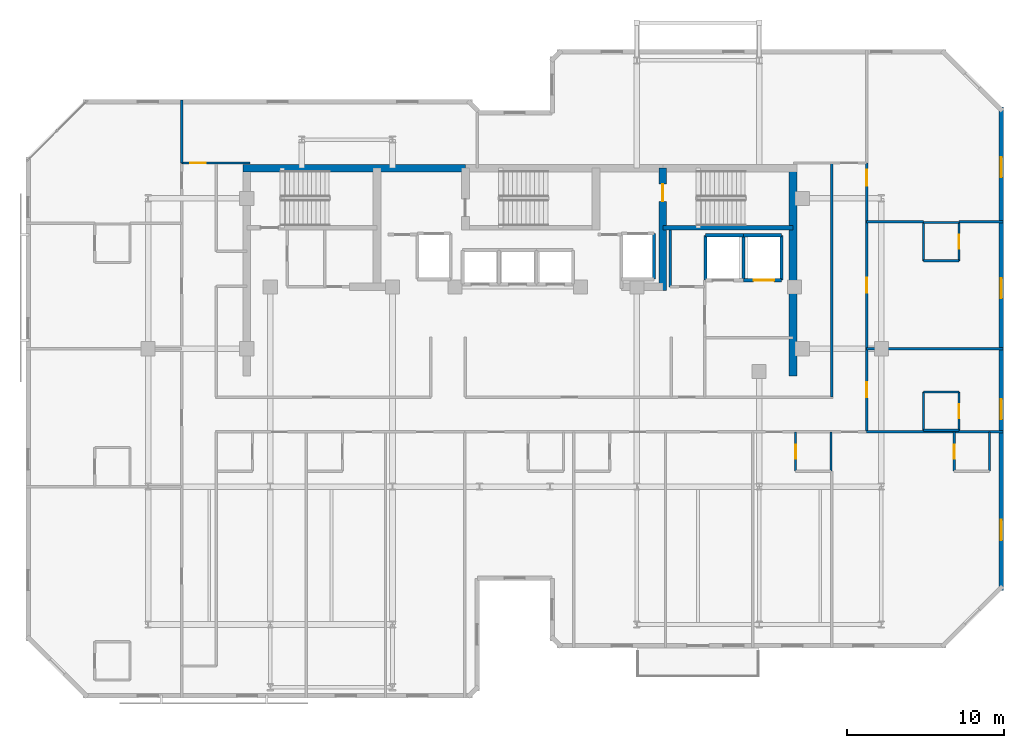
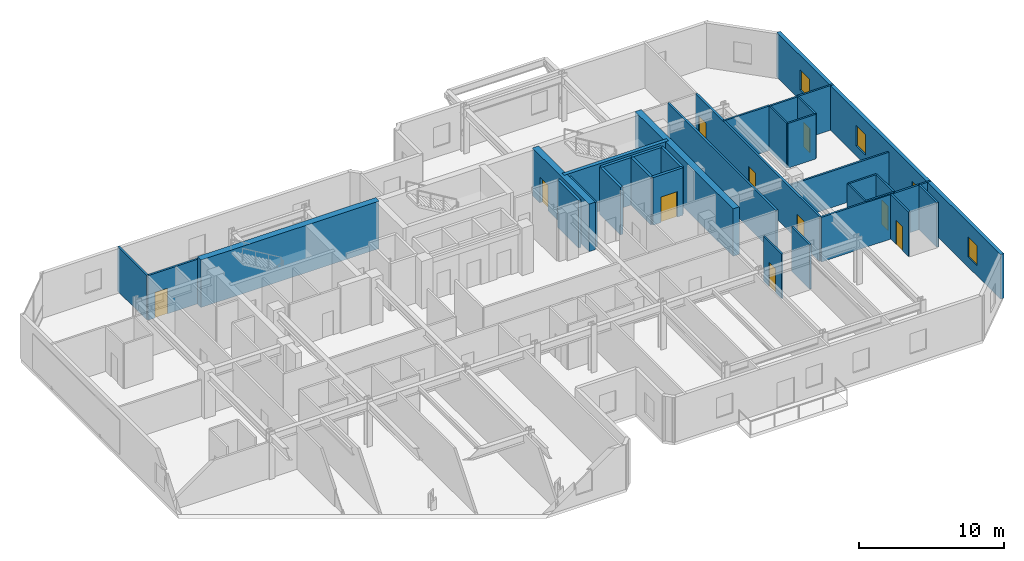
# One storey, part 7 of 10: 33 walls, 10 doors, 4 windows, 14 openings.
"""IFC4 building model written with IfcOpenShell, lengths in metres."""

from ifc_helpers import new_model, si_unit, direction, frame, frame_2d, origin, place, context, subcontext, project, spatial, rectangle, extrude, material, layer, layer_set, type_object, element, fill, save


model = new_model("IFC4")

# Units and contexts
model_context = context("Model", 3, precision=1e-05, world=origin(), true_north=direction((0.0, 1.0)))
body_context = subcontext(model_context, "Body", "Model", "MODEL_VIEW")
ifc_project = project(units=[si_unit("LENGTHUNIT", "METRE"), si_unit("AREAUNIT", "SQUARE_METRE"), si_unit("VOLUMEUNIT", "CUBIC_METRE"), si_unit("PLANEANGLEUNIT", "RADIAN"), si_unit("MASSUNIT", "GRAM", prefix="KILO")], contexts=[model_context])

# Site, building, storey
site_placement = place(None, origin())
site = spatial("IfcSite", under=ifc_project, at=site_placement, CompositionType="ELEMENT")
building_placement = place(site_placement, origin())
building = spatial("IfcBuilding", under=site, at=building_placement, Name="Kestravale Grand Hotel", CompositionType="ELEMENT")
storey_placement = place(building_placement, frame((0.0, 0.0, 253.39990234375)))
storey = spatial("IfcBuildingStorey", under=building, at=storey_placement, Name="L63", CompositionType="ELEMENT", Elevation=253.39990234375)

# Walls
ifc_material_1 = material(Name="Concrete f'c 50 MPa", Category="concrete")
ifc_layer_1 = layer(ifc_material_1, 0.5)
ifc_layer_set_1 = layer_set([ifc_layer_1], Name="EW-CORE-500")
wall_type_1 = type_object("IfcWallType", Name="EW-CORE-500", PredefinedType="SHEAR", material=ifc_layer_set_1)
wall_1_placement = place(storey_placement, frame((21.64990234375, 40.320068359375, 0.0), z_axis=(0.0, 0.0, 1.0), x_axis=(1.0, 0.0, 0.0)))
element("IfcWall", 1, at=wall_1_placement, inside=storey, type_object=wall_type_1, Name="L63 core shear wall N1", PredefinedType="SHEAR", context=body_context, shape_type="SweptSolid", body=[
    extrude(rectangle(XDim=14.2001953125, YDim=0.5, at=frame_2d((7.10009765625, 0.0))), origin(), (0.0, 0.0, 1.0), 4.0),
])
wall_2_placement = place(storey_placement, frame((56.77001953125, 27.050048828125, 0.0), z_axis=(0.0, 0.0, 1.0), x_axis=(0.0, 1.0, 0.0)))
element("IfcWall", 2, at=wall_2_placement, inside=storey, type_object=wall_type_1, Name="L63 core shear wall E1", PredefinedType="SHEAR", context=body_context, shape_type="SweptSolid", body=[
    extrude(rectangle(XDim=13.52001953125, YDim=0.5, at=frame_2d((6.760009765625, 0.0))), origin(), (0.0, 0.0, 1.0), 4.0),
])

# Wall, opening, door
wall_3_placement = place(storey_placement, frame((48.449951171875, 32.5, 0.0), z_axis=(0.0, 0.0, 1.0), x_axis=(0.0, 1.0, 0.0)))
wall_3 = element("IfcWall", 3, at=wall_3_placement, inside=storey, type_object=wall_type_1, Name="L63 core shear wall X4", PredefinedType="SHEAR", context=body_context, shape_type="SweptSolid", body=[
    extrude(rectangle(XDim=7.820068359375, YDim=0.5, at=frame_2d((3.91015625, 0.0))), origin(), (0.0, 0.0, 1.0), 4.0),
])
opening_1_placement = place(wall_3_placement, frame((5.699951171875, 0.0, 0.0)))
opening_1 = element("IfcOpeningElement", 4, at=opening_1_placement, cuts=wall_3, Name="Opening D-ST-1100", PredefinedType="OPENING", context=body_context, shape_type="SweptSolid", body=[
    extrude(rectangle(XDim=1.10009765625, YDim=2.14990234375, at=frame_2d((0.550048828125, 1.074951171875))), frame((0.0, 0.260009765625, 0.0), z_axis=(0.0, -1.0, 0.0), x_axis=(1.0, 0.0, 0.0)), (0.0, 0.0, 1.0), 0.52001953125),
])
ifc_material_2 = material(Name="Galvanised 90-minute fire-rated steel stair door", Category="steel")
door_type_1 = type_object("IfcDoorType", Name="D-ST-1100", OperationType="NOTDEFINED", PredefinedType="DOOR", material=ifc_material_2)
door_1_placement = place(opening_1_placement, origin())
door_1 = element("IfcDoor", 5, at=door_1_placement, inside=storey, type_object=door_type_1, Name="L63 Stair ST-3 FSAE fire door", OperationType="SINGLE_SWING_RIGHT", OverallHeight=2.14990234375, OverallWidth=1.10009765625, PredefinedType="DOOR", context=body_context, shape_type="SweptSolid", body=[
    extrude(rectangle(XDim=1.10009765625, YDim=2.14990234375, at=frame_2d((0.550048828125, 1.074951171875))), frame((0.0, 0.02490234375, 0.0), z_axis=(0.0, -1.0, 0.0), x_axis=(1.0, 0.0, 0.0)), (0.0, 0.0, 1.0), 0.050048828125),
])
fill(opening_1, door_1)

# Wall, openings, windows
ifc_material_3 = material(Name="Precast concrete f'c 45 MPa", Category="concrete")
ifc_layer_2 = layer(ifc_material_3, 0.280029296875)
ifc_layer_set_2 = layer_set([ifc_layer_2], Name="EW-PREC-280")
wall_type_2 = type_object("IfcWallType", Name="EW-PREC-280", PredefinedType="SOLIDWALL", material=ifc_layer_set_2)
wall_4_placement = place(storey_placement, frame((70.06005859375, 13.360107421875, 0.0), z_axis=(0.0, 0.0, 1.0), x_axis=(0.0, 1.0, 0.0)))
wall_4 = element("IfcWall", 6, at=wall_4_placement, inside=storey, type_object=wall_type_2, Name="L63 fluted precast facade wall 9", PredefinedType="SOLIDWALL", context=body_context, shape_type="SweptSolid", body=[
    extrude(rectangle(XDim=30.8798828125, YDim=0.280029296875, at=frame_2d((15.43994140625, 0.0))), origin(), (0.0, 0.0, 1.0), 3.760009765625),
])
opening_2_placement = place(wall_4_placement, frame((3.2099609375, 0.0, 0.85009765625)))
opening_2 = element("IfcOpeningElement", 7, at=opening_2_placement, cuts=wall_4, Name="Opening W-GUEST-1300", PredefinedType="OPENING", context=body_context, shape_type="SweptSolid", body=[
    extrude(rectangle(XDim=1.300048828125, YDim=1.699951171875, at=frame_2d((0.64990234375, 0.85009765625))), frame((0.0, 0.14990234375, 0.0), z_axis=(0.0, -1.0, 0.0), x_axis=(1.0, 0.0, 0.0)), (0.0, 0.0, 1.0), 0.300048828125),
])
opening_3_placement = place(wall_4_placement, frame((10.929931640625, 0.0, 0.85009765625)))
opening_3 = element("IfcOpeningElement", 8, at=opening_3_placement, cuts=wall_4, Name="Opening W-GUEST-1300", PredefinedType="OPENING", context=body_context, shape_type="SweptSolid", body=[
    extrude(rectangle(XDim=1.300048828125, YDim=1.699951171875, at=frame_2d((0.64990234375, 0.85009765625))), frame((0.0, 0.14990234375, 0.0), z_axis=(0.0, -1.0, 0.0), x_axis=(1.0, 0.0, 0.0)), (0.0, 0.0, 1.0), 0.300048828125),
])
opening_4_placement = place(wall_4_placement, frame((18.64990234375, 0.0, 0.85009765625)))
opening_4 = element("IfcOpeningElement", 9, at=opening_4_placement, cuts=wall_4, Name="Opening W-GUEST-1300", PredefinedType="OPENING", context=body_context, shape_type="SweptSolid", body=[
    extrude(rectangle(XDim=1.300048828125, YDim=1.699951171875, at=frame_2d((0.64990234375, 0.85009765625))), frame((0.0, 0.14990234375, 0.0), z_axis=(0.0, -1.0, 0.0), x_axis=(1.0, 0.0, 0.0)), (0.0, 0.0, 1.0), 0.300048828125),
])
opening_5_placement = place(wall_4_placement, frame((26.3701171875, 0.0, 0.85009765625)))
opening_5 = element("IfcOpeningElement", 10, at=opening_5_placement, cuts=wall_4, Name="Opening W-GUEST-1300", PredefinedType="OPENING", context=body_context, shape_type="SweptSolid", body=[
    extrude(rectangle(XDim=1.300048828125, YDim=1.699951171875, at=frame_2d((0.64990234375, 0.85009765625))), frame((0.0, 0.14990234375, 0.0), z_axis=(0.0, -1.0, 0.0), x_axis=(1.0, 0.0, 0.0)), (0.0, 0.0, 1.0), 0.300048828125),
])
ifc_material_4 = material(Name="Insulated low-E double glazing in aluminium frame", Category="aluminium")
window_type = type_object("IfcWindowType", Name="W-GUEST-1300", PartitioningType="SINGLE_PANEL", PredefinedType="WINDOW", material=ifc_material_4)
window_1_placement = place(opening_2_placement, origin())
window_1 = element("IfcWindow", 11, at=window_1_placement, inside=storey, type_object=window_type, Name="L63 exterior window 9.1", OverallHeight=1.699951171875, OverallWidth=1.300048828125, PartitioningType="SINGLE_PANEL", PredefinedType="WINDOW", context=body_context, shape_type="SweptSolid", body=[
    extrude(rectangle(XDim=1.300048828125, YDim=1.699951171875, at=frame_2d((0.64990234375, 0.85009765625))), frame((0.0, 0.030029296875, 0.0), z_axis=(0.0, -1.0, 0.0), x_axis=(1.0, 0.0, 0.0)), (0.0, 0.0, 1.0), 0.06005859375),
])
fill(opening_2, window_1)
window_2_placement = place(opening_3_placement, origin())
window_2 = element("IfcWindow", 12, at=window_2_placement, inside=storey, type_object=window_type, Name="L63 exterior window 9.2", OverallHeight=1.699951171875, OverallWidth=1.300048828125, PartitioningType="SINGLE_PANEL", PredefinedType="WINDOW", context=body_context, shape_type="SweptSolid", body=[
    extrude(rectangle(XDim=1.300048828125, YDim=1.699951171875, at=frame_2d((0.64990234375, 0.85009765625))), frame((0.0, 0.030029296875, 0.0), z_axis=(0.0, -1.0, 0.0), x_axis=(1.0, 0.0, 0.0)), (0.0, 0.0, 1.0), 0.06005859375),
])
fill(opening_3, window_2)
window_3_placement = place(opening_4_placement, origin())
window_3 = element("IfcWindow", 13, at=window_3_placement, inside=storey, type_object=window_type, Name="L63 exterior window 9.3", OverallHeight=1.699951171875, OverallWidth=1.300048828125, PartitioningType="SINGLE_PANEL", PredefinedType="WINDOW", context=body_context, shape_type="SweptSolid", body=[
    extrude(rectangle(XDim=1.300048828125, YDim=1.699951171875, at=frame_2d((0.64990234375, 0.85009765625))), frame((0.0, 0.030029296875, 0.0), z_axis=(0.0, -1.0, 0.0), x_axis=(1.0, 0.0, 0.0)), (0.0, 0.0, 1.0), 0.06005859375),
])
fill(opening_4, window_3)
window_4_placement = place(opening_5_placement, origin())
window_4 = element("IfcWindow", 14, at=window_4_placement, inside=storey, type_object=window_type, Name="L63 exterior window 9.4", OverallHeight=1.699951171875, OverallWidth=1.300048828125, PartitioningType="SINGLE_PANEL", PredefinedType="WINDOW", context=body_context, shape_type="SweptSolid", body=[
    extrude(rectangle(XDim=1.300048828125, YDim=1.699951171875, at=frame_2d((0.64990234375, 0.85009765625))), frame((0.0, 0.030029296875, 0.0), z_axis=(0.0, -1.0, 0.0), x_axis=(1.0, 0.0, 0.0)), (0.0, 0.0, 1.0), 0.06005859375),
])
fill(opening_5, window_4)

# Wall
ifc_material_5 = material(Name="Concrete f'c 45 MPa", Category="concrete")
ifc_layer_3 = layer(ifc_material_5, 0.300048828125)
ifc_layer_set_3 = layer_set([ifc_layer_3], Name="EW-STAIR-300")
wall_type_3 = type_object("IfcWallType", Name="EW-STAIR-300", PredefinedType="SHEAR", material=ifc_layer_set_3)
wall_5_placement = place(storey_placement, frame((48.449951171875, 36.52001953125, 0.0), z_axis=(0.0, 0.0, 1.0), x_axis=(1.0, 0.0, 0.0)))
element("IfcWall", 15, at=wall_5_placement, inside=storey, type_object=wall_type_3, Name="L63 stair enclosure shear wall SST3", PredefinedType="SHEAR", context=body_context, shape_type="SweptSolid", body=[
    extrude(rectangle(XDim=8.320068359375, YDim=0.300048828125, at=frame_2d((4.16015625, 0.0))), origin(), (0.0, 0.0, 1.0), 4.0),
])

# Wall, openings, doors
ifc_material_6 = material(Name="Acoustic fire-rated gypsum board partition", Category="other")
ifc_layer_4 = layer(ifc_material_6, 0.159912109375)
ifc_layer_set_4 = layer_set([ifc_layer_4], Name="IW-CORR-160")
wall_type_4 = type_object("IfcWallType", Name="IW-CORR-160", PredefinedType="PARTITIONING", material=ifc_layer_set_4)
wall_6_placement = place(storey_placement, frame((61.4599609375, 23.550048828125, 0.0), z_axis=(0.0, 0.0, 1.0), x_axis=(0.0, 1.0, 0.0)))
wall_6 = element("IfcWall", 16, at=wall_6_placement, inside=storey, type_object=wall_type_4, Name="W-L63-SE-E", PredefinedType="PARTITIONING", context=body_context, shape_type="SweptSolid", body=[
    extrude(rectangle(XDim=17.099853515625, YDim=0.159912109375, at=frame_2d((8.5498046875, 0.0))), origin(), (0.0, 0.0, 1.0), 3.760009765625),
])
opening_6_placement = place(wall_6_placement, frame((2.14990234375, 0.0, 0.0)))
opening_6 = element("IfcOpeningElement", 17, at=opening_6_placement, cuts=wall_6, Name="Opening D-GUEST-950", PredefinedType="OPENING", context=body_context, shape_type="SweptSolid", body=[
    extrude(rectangle(XDim=0.949951171875, YDim=2.10009765625, at=frame_2d((0.47509765625, 1.050048828125))), frame((0.0, 0.08984375, 0.0), z_axis=(0.0, -1.0, 0.0), x_axis=(1.0, 0.0, 0.0)), (0.0, 0.0, 1.0), 0.179931640625),
])
opening_7_placement = place(wall_6_placement, frame((8.824951171875, 0.0, 0.0)))
opening_7 = element("IfcOpeningElement", 18, at=opening_7_placement, cuts=wall_6, Name="Opening D-GUEST-950", PredefinedType="OPENING", context=body_context, shape_type="SweptSolid", body=[
    extrude(rectangle(XDim=0.949951171875, YDim=2.10009765625, at=frame_2d((0.47509765625, 1.050048828125))), frame((0.0, 0.08984375, 0.0), z_axis=(0.0, -1.0, 0.0), x_axis=(1.0, 0.0, 0.0)), (0.0, 0.0, 1.0), 0.179931640625),
])
opening_8_placement = place(wall_6_placement, frame((15.659912109375, 0.0, 0.0)))
opening_8 = element("IfcOpeningElement", 19, at=opening_8_placement, cuts=wall_6, Name="Opening D-GUEST-1000", PredefinedType="OPENING", context=body_context, shape_type="SweptSolid", body=[
    extrude(rectangle(XDim=1.0, YDim=2.14990234375, at=frame_2d((0.5, 1.074951171875))), frame((0.0, 0.08984375, 0.0), z_axis=(0.0, -1.0, 0.0), x_axis=(1.0, 0.0, 0.0)), (0.0, 0.0, 1.0), 0.179931640625),
])
ifc_material_7 = material(Name="Accessible walnut veneer hotel entrance fire door", Category="wood")
door_type_2 = type_object("IfcDoorType", Name="D-GUEST-1000", OperationType="NOTDEFINED", PredefinedType="DOOR", material=ifc_material_7)
door_2_placement = place(opening_8_placement, origin())
door_2 = element("IfcDoor", 20, at=door_2_placement, inside=storey, type_object=door_type_2, Name="D-L63-AMEW", OperationType="SINGLE_SWING_LEFT", OverallHeight=2.14990234375, OverallWidth=1.0, PredefinedType="DOOR", context=body_context, shape_type="SweptSolid", body=[
    extrude(rectangle(XDim=1.0, YDim=2.14990234375, at=frame_2d((0.5, 1.074951171875))), frame((0.0, 0.02490234375, 0.0), z_axis=(0.0, -1.0, 0.0), x_axis=(1.0, 0.0, 0.0)), (0.0, 0.0, 1.0), 0.050048828125),
])
fill(opening_8, door_2)
ifc_material_8 = material(Name="Walnut veneer hotel guestroom entrance fire door", Category="wood")
door_type_3 = type_object("IfcDoorType", Name="D-GUEST-950", OperationType="NOTDEFINED", PredefinedType="DOOR", material=ifc_material_8)
door_3_placement = place(opening_6_placement, origin())
door_3 = element("IfcDoor", 21, at=door_3_placement, inside=storey, type_object=door_type_3, Name="D-L63-U10-ENT", OperationType="SINGLE_SWING_RIGHT", OverallHeight=2.10009765625, OverallWidth=0.949951171875, PredefinedType="DOOR", context=body_context, shape_type="SweptSolid", body=[
    extrude(rectangle(XDim=0.949951171875, YDim=2.10009765625, at=frame_2d((0.47509765625, 1.050048828125))), frame((0.0, 0.02490234375, 0.0), z_axis=(0.0, -1.0, 0.0), x_axis=(1.0, 0.0, 0.0)), (0.0, 0.0, 1.0), 0.050048828125),
])
fill(opening_6, door_3)
door_4_placement = place(opening_7_placement, origin())
door_4 = element("IfcDoor", 22, at=door_4_placement, inside=storey, type_object=door_type_3, Name="D-L63-U11-ENT", OperationType="SINGLE_SWING_RIGHT", OverallHeight=2.10009765625, OverallWidth=0.949951171875, PredefinedType="DOOR", context=body_context, shape_type="SweptSolid", body=[
    extrude(rectangle(XDim=0.949951171875, YDim=2.10009765625, at=frame_2d((0.47509765625, 1.050048828125))), frame((0.0, 0.02490234375, 0.0), z_axis=(0.0, -1.0, 0.0), x_axis=(1.0, 0.0, 0.0)), (0.0, 0.0, 1.0), 0.050048828125),
])
fill(opening_7, door_4)

# Wall
wall_7_placement = place(storey_placement, frame((59.239990234375, 25.7099609375, 0.0), z_axis=(0.0, 0.0, 1.0), x_axis=(0.0, 1.0, 0.0)))
element("IfcWall", 23, at=wall_7_placement, inside=storey, type_object=wall_type_4, Name="W-L63-SE-WU", PredefinedType="PARTITIONING", context=body_context, shape_type="SweptSolid", body=[
    extrude(rectangle(XDim=14.93994140625, YDim=0.159912109375, at=frame_2d((7.469970703125, 0.0))), origin(), (0.0, 0.0, 1.0), 3.760009765625),
])

# Wall, opening, door
ifc_material_9 = material(Name="Moisture-resistant tile-backer plumbing chase wall", Category="other")
ifc_layer_5 = layer(ifc_material_9, 0.139892578125)
ifc_layer_set_5 = layer_set([ifc_layer_5], Name="IW-PLB-140")
wall_type_5 = type_object("IfcWallType", Name="IW-PLB-140", PredefinedType="PLUMBINGWALL", material=ifc_layer_set_5)
wall_8_placement = place(storey_placement, frame((56.929931640625, 20.97998046875, 0.0), z_axis=(0.0, 0.0, 1.0), x_axis=(0.0, 1.0, 0.0)))
wall_8 = element("IfcWall", 24, at=wall_8_placement, inside=storey, type_object=wall_type_5, Name="W-L63-U05-BW", PredefinedType="PLUMBINGWALL", context=body_context, shape_type="SweptSolid", body=[
    extrude(rectangle(XDim=2.489990234375, YDim=0.139892578125, at=frame_2d((1.2451171875, 0.0))), origin(), (0.0, 0.0, 1.0), 3.760009765625),
])
opening_9_placement = place(wall_8_placement, frame((0.804931640625, 0.0, 0.0)))
opening_9 = element("IfcOpeningElement", 25, at=opening_9_placement, cuts=wall_8, Name="Opening D-BATH-880", PredefinedType="OPENING", context=body_context, shape_type="SweptSolid", body=[
    extrude(rectangle(XDim=0.8798828125, YDim=2.050048828125, at=frame_2d((0.43994140625, 1.02490234375))), frame((0.0, 0.079833984375, 0.0), z_axis=(0.0, -1.0, 0.0), x_axis=(1.0, 0.0, 0.0)), (0.0, 0.0, 1.0), 0.159912109375),
])
ifc_material_10 = material(Name="Moisture-sealed walnut en-suite bathroom door", Category="wood")
door_type_4 = type_object("IfcDoorType", Name="D-BATH-880", OperationType="NOTDEFINED", PredefinedType="DOOR", material=ifc_material_10)
door_5_placement = place(opening_9_placement, origin())
door_5 = element("IfcDoor", 26, at=door_5_placement, inside=storey, type_object=door_type_4, Name="D-L63-U05-BATH", OperationType="SINGLE_SWING_RIGHT", OverallHeight=2.050048828125, OverallWidth=0.8798828125, PredefinedType="DOOR", context=body_context, shape_type="SweptSolid", body=[
    extrude(rectangle(XDim=0.8798828125, YDim=2.050048828125, at=frame_2d((0.43994140625, 1.02490234375))), frame((0.0, 0.02490234375, 0.0), z_axis=(0.0, -1.0, 0.0), x_axis=(1.0, 0.0, 0.0)), (0.0, 0.0, 1.0), 0.050048828125),
])
fill(opening_9, door_5)

# Wall
wall_9_placement = place(storey_placement, frame((59.179931640625, 20.97998046875, 0.0), z_axis=(0.0, 0.0, 1.0), x_axis=(0.0, 1.0, 0.0)))
element("IfcWall", 27, at=wall_9_placement, inside=storey, type_object=wall_type_5, Name="W-L63-U05-BE", PredefinedType="PLUMBINGWALL", context=body_context, shape_type="SweptSolid", body=[
    extrude(rectangle(XDim=2.489990234375, YDim=0.139892578125, at=frame_2d((1.2451171875, 0.0))), origin(), (0.0, 0.0, 1.0), 3.760009765625),
])

# Wall, opening, door
wall_10_placement = place(storey_placement, frame((67.050048828125, 20.97998046875, 0.0), z_axis=(0.0, 0.0, 1.0), x_axis=(0.0, 1.0, 0.0)))
wall_10 = element("IfcWall", 28, at=wall_10_placement, inside=storey, type_object=wall_type_5, Name="W-L63-U09-BW", PredefinedType="PLUMBINGWALL", context=body_context, shape_type="SweptSolid", body=[
    extrude(rectangle(XDim=2.489990234375, YDim=0.139892578125, at=frame_2d((1.2451171875, 0.0))), origin(), (0.0, 0.0, 1.0), 3.760009765625),
])
opening_10_placement = place(wall_10_placement, frame((0.804931640625, 0.0, 0.0)))
opening_10 = element("IfcOpeningElement", 29, at=opening_10_placement, cuts=wall_10, Name="Opening D-BATH-880", PredefinedType="OPENING", context=body_context, shape_type="SweptSolid", body=[
    extrude(rectangle(XDim=0.8798828125, YDim=2.050048828125, at=frame_2d((0.43994140625, 1.02490234375))), frame((0.0, 0.079833984375, 0.0), z_axis=(0.0, -1.0, 0.0), x_axis=(1.0, 0.0, 0.0)), (0.0, 0.0, 1.0), 0.159912109375),
])
door_6_placement = place(opening_10_placement, origin())
door_6 = element("IfcDoor", 30, at=door_6_placement, inside=storey, type_object=door_type_4, Name="D-L63-U09-BATH", OperationType="SINGLE_SWING_LEFT", OverallHeight=2.050048828125, OverallWidth=0.8798828125, PredefinedType="DOOR", context=body_context, shape_type="SweptSolid", body=[
    extrude(rectangle(XDim=0.8798828125, YDim=2.050048828125, at=frame_2d((0.43994140625, 1.02490234375))), frame((0.0, 0.02490234375, 0.0), z_axis=(0.0, -1.0, 0.0), x_axis=(1.0, 0.0, 0.0)), (0.0, 0.0, 1.0), 0.050048828125),
])
fill(opening_10, door_6)

# Walls
wall_11_placement = place(storey_placement, frame((69.300048828125, 20.97998046875, 0.0), z_axis=(0.0, 0.0, 1.0), x_axis=(0.0, 1.0, 0.0)))
element("IfcWall", 31, at=wall_11_placement, inside=storey, type_object=wall_type_5, Name="W-L63-U09-BE", PredefinedType="PLUMBINGWALL", context=body_context, shape_type="SweptSolid", body=[
    extrude(rectangle(XDim=2.489990234375, YDim=0.139892578125, at=frame_2d((1.2451171875, 0.0))), origin(), (0.0, 0.0, 1.0), 3.760009765625),
])
wall_12_placement = place(storey_placement, frame((65.10009765625, 23.590087890625, 0.0), z_axis=(0.0, 0.0, 1.0), x_axis=(0.0, 1.0, 0.0)))
element("IfcWall", 32, at=wall_12_placement, inside=storey, type_object=wall_type_5, Name="W-L63-U10-BW", PredefinedType="PLUMBINGWALL", context=body_context, shape_type="SweptSolid", body=[
    extrude(rectangle(XDim=2.449951171875, YDim=0.139892578125, at=frame_2d((1.22509765625, 0.0))), origin(), (0.0, 0.0, 1.0), 3.760009765625),
])

# Wall, opening, door
wall_13_placement = place(storey_placement, frame((67.35009765625, 23.590087890625, 0.0), z_axis=(0.0, 0.0, 1.0), x_axis=(0.0, 1.0, 0.0)))
wall_13 = element("IfcWall", 33, at=wall_13_placement, inside=storey, type_object=wall_type_5, Name="W-L63-U10-BE", PredefinedType="PLUMBINGWALL", context=body_context, shape_type="SweptSolid", body=[
    extrude(rectangle(XDim=2.449951171875, YDim=0.139892578125, at=frame_2d((1.22509765625, 0.0))), origin(), (0.0, 0.0, 1.0), 3.760009765625),
])
opening_11_placement = place(wall_13_placement, frame((0.784912109375, 0.0, 0.0)))
opening_11 = element("IfcOpeningElement", 34, at=opening_11_placement, cuts=wall_13, Name="Opening D-BATH-880", PredefinedType="OPENING", context=body_context, shape_type="SweptSolid", body=[
    extrude(rectangle(XDim=0.8798828125, YDim=2.050048828125, at=frame_2d((0.43994140625, 1.02490234375))), frame((0.0, 0.079833984375, 0.0), z_axis=(0.0, -1.0, 0.0), x_axis=(1.0, 0.0, 0.0)), (0.0, 0.0, 1.0), 0.159912109375),
])
door_7_placement = place(opening_11_placement, origin())
door_7 = element("IfcDoor", 35, at=door_7_placement, inside=storey, type_object=door_type_4, Name="D-L63-U10-BATH", OperationType="SINGLE_SWING_LEFT", OverallHeight=2.050048828125, OverallWidth=0.8798828125, PredefinedType="DOOR", context=body_context, shape_type="SweptSolid", body=[
    extrude(rectangle(XDim=0.8798828125, YDim=2.050048828125, at=frame_2d((0.43994140625, 1.02490234375))), frame((0.0, 0.02490234375, 0.0), z_axis=(0.0, -1.0, 0.0), x_axis=(1.0, 0.0, 0.0)), (0.0, 0.0, 1.0), 0.050048828125),
])
fill(opening_11, door_7)

# Walls
for number, where, z_axis, x_axis, name in (
    (36, (65.10009765625, 23.590087890625, 0.0), (0.0, 0.0, 1.0), (1.0, 0.0, 0.0), "W-L63-U10-BS"),
    (37, (65.10009765625, 26.0400390625, 0.0), (0.0, 0.0, 1.0), (1.0, 0.0, 0.0), "W-L63-U10-BN"),
):
    element("IfcWall", number, at=place(storey_placement, frame(where, z_axis=z_axis, x_axis=x_axis)), inside=storey, type_object=wall_type_5, Name=name, PredefinedType="PLUMBINGWALL", context=body_context, shape_type="SweptSolid", body=[
        extrude(rectangle(XDim=2.25, YDim=0.139892578125, at=frame_2d((1.125, 0.0))), origin(), (0.0, 0.0, 1.0), 3.760009765625),
    ])
wall_14_placement = place(storey_placement, frame((65.10009765625, 34.409912109375, 0.0), z_axis=(0.0, 0.0, 1.0), x_axis=(0.0, 1.0, 0.0)))
element("IfcWall", 38, at=wall_14_placement, inside=storey, type_object=wall_type_5, Name="W-L63-U11-BW", PredefinedType="PLUMBINGWALL", context=body_context, shape_type="SweptSolid", body=[
    extrude(rectangle(XDim=2.4501953125, YDim=0.139892578125, at=frame_2d((1.22509765625, 0.0))), origin(), (0.0, 0.0, 1.0), 3.760009765625),
])

# Wall, opening, door
wall_15_placement = place(storey_placement, frame((67.35009765625, 34.409912109375, 0.0), z_axis=(0.0, 0.0, 1.0), x_axis=(0.0, 1.0, 0.0)))
wall_15 = element("IfcWall", 39, at=wall_15_placement, inside=storey, type_object=wall_type_5, Name="W-L63-U11-BE", PredefinedType="PLUMBINGWALL", context=body_context, shape_type="SweptSolid", body=[
    extrude(rectangle(XDim=2.4501953125, YDim=0.139892578125, at=frame_2d((1.22509765625, 0.0))), origin(), (0.0, 0.0, 1.0), 3.760009765625),
])
opening_12_placement = place(wall_15_placement, frame((0.784912109375, 0.0, 0.0)))
opening_12 = element("IfcOpeningElement", 40, at=opening_12_placement, cuts=wall_15, Name="Opening D-BATH-880", PredefinedType="OPENING", context=body_context, shape_type="SweptSolid", body=[
    extrude(rectangle(XDim=0.8798828125, YDim=2.050048828125, at=frame_2d((0.43994140625, 1.02490234375))), frame((0.0, 0.079833984375, 0.0), z_axis=(0.0, -1.0, 0.0), x_axis=(1.0, 0.0, 0.0)), (0.0, 0.0, 1.0), 0.159912109375),
])
door_8_placement = place(opening_12_placement, origin())
door_8 = element("IfcDoor", 41, at=door_8_placement, inside=storey, type_object=door_type_4, Name="D-L63-U11-BATH", OperationType="SINGLE_SWING_LEFT", OverallHeight=2.050048828125, OverallWidth=0.8798828125, PredefinedType="DOOR", context=body_context, shape_type="SweptSolid", body=[
    extrude(rectangle(XDim=0.8798828125, YDim=2.050048828125, at=frame_2d((0.43994140625, 1.02490234375))), frame((0.0, 0.02490234375, 0.0), z_axis=(0.0, -1.0, 0.0), x_axis=(1.0, 0.0, 0.0)), (0.0, 0.0, 1.0), 0.050048828125),
])
fill(opening_12, door_8)

# Walls
for number, where, z_axis, x_axis, name in (
    (42, (65.10009765625, 34.409912109375, 0.0), (0.0, 0.0, 1.0), (1.0, 0.0, 0.0), "W-L63-U11-BS"),
    (43, (65.10009765625, 36.860107421875, 0.0), (0.0, 0.0, 1.0), (1.0, 0.0, 0.0), "W-L63-U11-BN"),
):
    element("IfcWall", number, at=place(storey_placement, frame(where, z_axis=z_axis, x_axis=x_axis)), inside=storey, type_object=wall_type_5, Name=name, PredefinedType="PLUMBINGWALL", context=body_context, shape_type="SweptSolid", body=[
        extrude(rectangle(XDim=2.25, YDim=0.139892578125, at=frame_2d((1.125, 0.0))), origin(), (0.0, 0.0, 1.0), 3.760009765625),
    ])
ifc_material_11 = material(Name="Concrete f'c 45 MPa", Category="concrete")
ifc_layer_6 = layer(ifc_material_11, 0.199951171875)
ifc_layer_set_6 = layer_set([ifc_layer_6], Name="IW-SHAFT-200")
wall_type_6 = type_object("IfcWallType", Name="IW-SHAFT-200", PredefinedType="SHEAR", material=ifc_layer_set_6)
for number, where, z_axis, x_axis, name in (
    (44, (51.179931640625, 33.169921875, 0.0), (0.0, 0.0, 1.0), (0.0, 1.0, 0.0), "L63 SL-1 west shaft wall"),
    (45, (53.60009765625, 33.169921875, 0.0), (0.0, 0.0, 1.0), (0.0, 1.0, 0.0), "L63 SL-2 west shaft wall"),
    (46, (56.02001953125, 33.169921875, 0.0), (0.0, 0.0, 1.0), (0.0, 1.0, 0.0), "L63 SL-2 east shaft wall"),
):
    element("IfcWall", number, at=place(storey_placement, frame(where, z_axis=z_axis, x_axis=x_axis)), inside=storey, type_object=wall_type_6, Name=name, PredefinedType="SHEAR", context=body_context, shape_type="SweptSolid", body=[
        extrude(rectangle(XDim=2.860107421875, YDim=0.199951171875, at=frame_2d((1.43017578125, 0.0))), origin(), (0.0, 0.0, 1.0), 4.0),
    ])
wall_16_placement = place(storey_placement, frame((47.89501953125, 33.2451171875, 0.0), z_axis=(0.0, 0.0, 1.0), x_axis=(0.0, 1.0, 0.0)))
element("IfcWall", 47, at=wall_16_placement, inside=storey, type_object=wall_type_6, Name="L63 FL-2 east shaft wall", PredefinedType="SHEAR", context=body_context, shape_type="SweptSolid", body=[
    extrude(rectangle(XDim=2.909912109375, YDim=0.199951171875, at=frame_2d((1.455078125, 0.0))), origin(), (0.0, 0.0, 1.0), 4.0),
])
ifc_material_12 = material(Name="Concrete f'c 45 MPa", Category="concrete")
ifc_layer_7 = layer(ifc_material_12, 0.219970703125)
ifc_layer_set_7 = layer_set([ifc_layer_7], Name="IW-SHAFT-220")
wall_type_7 = type_object("IfcWallType", Name="IW-SHAFT-220", PredefinedType="SHEAR", material=ifc_layer_set_7)
wall_17_placement = place(storey_placement, frame((51.179931640625, 36.030029296875, 0.0), z_axis=(0.0, 0.0, 1.0), x_axis=(1.0, 0.0, 0.0)))
element("IfcWall", 48, at=wall_17_placement, inside=storey, type_object=wall_type_7, Name="L63 SL-1 north shaft wall", PredefinedType="SHEAR", context=body_context, shape_type="SweptSolid", body=[
    extrude(rectangle(XDim=2.420166015625, YDim=0.219970703125, at=frame_2d((1.2099609375, 0.0))), origin(), (0.0, 0.0, 1.0), 4.0),
])
wall_18_placement = place(storey_placement, frame((53.60009765625, 36.030029296875, 0.0), z_axis=(0.0, 0.0, 1.0), x_axis=(1.0, 0.0, 0.0)))
element("IfcWall", 49, at=wall_18_placement, inside=storey, type_object=wall_type_7, Name="L63 SL-2 north shaft wall", PredefinedType="SHEAR", context=body_context, shape_type="SweptSolid", body=[
    extrude(rectangle(XDim=2.419921875, YDim=0.219970703125, at=frame_2d((1.2099609375, 0.0))), origin(), (0.0, 0.0, 1.0), 4.0),
])

# Wall, opening, door
wall_19_placement = place(storey_placement, frame((53.60009765625, 33.169921875, 0.0), z_axis=(0.0, 0.0, 1.0), x_axis=(1.0, 0.0, 0.0)))
wall_19 = element("IfcWall", 50, at=wall_19_placement, inside=storey, type_object=wall_type_7, Name="L63 SL-2 south shaft wall", PredefinedType="SHEAR", context=body_context, shape_type="SweptSolid", body=[
    extrude(rectangle(XDim=2.419921875, YDim=0.219970703125, at=frame_2d((1.2099609375, 0.0))), origin(), (0.0, 0.0, 1.0), 4.0),
])
opening_13_placement = place(wall_19_placement, frame((0.64990234375, 0.0, 0.0)))
opening_13 = element("IfcOpeningElement", 51, at=opening_13_placement, cuts=wall_19, Name="Opening LD-SVC-1300", PredefinedType="OPENING", context=body_context, shape_type="SweptSolid", body=[
    extrude(rectangle(XDim=1.300048828125, YDim=2.14990234375, at=frame_2d((0.64990234375, 1.074951171875))), frame((0.0, 0.119873046875, 0.0), z_axis=(0.0, -1.0, 0.0), x_axis=(1.0, 0.0, 0.0)), (0.0, 0.0, 1.0), 0.239990234375),
])
ifc_material_13 = material(Name="Heavy-duty service sliding elevator landing door", Category="steel")
door_type_5 = type_object("IfcDoorType", Name="LD-SVC-1300", OperationType="NOTDEFINED", PredefinedType="DOOR", material=ifc_material_13)
door_9_placement = place(opening_13_placement, origin())
door_9 = element("IfcDoor", 52, at=door_9_placement, inside=storey, type_object=door_type_5, Name="L63 SL-2 elevator landing sliding door", OperationType="DOUBLE_DOOR_SLIDING", OverallHeight=2.14990234375, OverallWidth=1.300048828125, PredefinedType="DOOR", context=body_context, shape_type="SweptSolid", body=[
    extrude(rectangle(XDim=1.300048828125, YDim=2.14990234375, at=frame_2d((0.64990234375, 1.074951171875))), frame((0.0, 0.02490234375, 0.0), z_axis=(0.0, -1.0, 0.0), x_axis=(1.0, 0.0, 0.0)), (0.0, 0.0, 1.0), 0.050048828125),
])
fill(opening_13, door_9)

# Wall
ifc_material_14 = material(Name="Double-stud STC 52 acoustic demising partition", Category="other")
ifc_layer_8 = layer(ifc_material_14, 0.14990234375)
ifc_layer_set_8 = layer_set([ifc_layer_8], Name="IW-UNIT-150")
wall_type_8 = type_object("IfcWallType", Name="IW-UNIT-150", PredefinedType="PARTITIONING", material=ifc_layer_set_8)
wall_20_placement = place(storey_placement, frame((48.919921875, 32.75, 0.0), z_axis=(0.0, 0.0, 1.0), x_axis=(0.0, 1.0, 0.0)))
element("IfcWall", 53, at=wall_20_placement, inside=storey, type_object=wall_type_8, Name="W-L63-CEW", PredefinedType="PARTITIONING", context=body_context, shape_type="SweptSolid", body=[
    extrude(rectangle(XDim=3.6201171875, YDim=0.14990234375, at=frame_2d((1.81005859375, 0.0))), origin(), (0.0, 0.0, 1.0), 3.760009765625),
])

# Wall, opening, door
wall_21_placement = place(storey_placement, frame((17.739990234375, 40.64990234375, 0.0), z_axis=(0.0, 0.0, 1.0), x_axis=(1.0, 0.0, 0.0)))
wall_21 = element("IfcWall", 54, at=wall_21_placement, inside=storey, type_object=wall_type_8, Name="W-L63-SW-N", PredefinedType="PARTITIONING", context=body_context, shape_type="SweptSolid", body=[
    extrude(rectangle(XDim=4.360107421875, YDim=0.14990234375, at=frame_2d((2.18017578125, 0.0))), origin(), (0.0, 0.0, 1.0), 3.760009765625),
])
opening_14_placement = place(wall_21_placement, frame((0.550048828125, 0.0, 0.0)))
opening_14 = element("IfcOpeningElement", 55, at=opening_14_placement, cuts=wall_21, Name="Opening D-GUEST-1000", PredefinedType="OPENING", context=body_context, shape_type="SweptSolid", body=[
    extrude(rectangle(XDim=1.0, YDim=2.14990234375, at=frame_2d((0.5, 1.074951171875))), frame((0.0, 0.0849609375, 0.0), z_axis=(0.0, -1.0, 0.0), x_axis=(1.0, 0.0, 0.0)), (0.0, 0.0, 1.0), 0.169921875),
])
door_10_placement = place(opening_14_placement, origin())
door_10 = element("IfcDoor", 56, at=door_10_placement, inside=storey, type_object=door_type_2, Name="L63 NW Gallery Door", OperationType="SINGLE_SWING_RIGHT", OverallHeight=2.14990234375, OverallWidth=1.0, PredefinedType="DOOR", context=body_context, shape_type="SweptSolid", body=[
    extrude(rectangle(XDim=1.0, YDim=2.14990234375, at=frame_2d((0.5, 1.074951171875))), frame((0.0, 0.02490234375, 0.0), z_axis=(0.0, -1.0, 0.0), x_axis=(1.0, 0.0, 0.0)), (0.0, 0.0, 1.0), 0.050048828125),
])
fill(opening_14, door_10)

# Walls
wall_22_placement = place(storey_placement, frame((17.739990234375, 40.64990234375, 0.0), z_axis=(0.0, 0.0, 1.0), x_axis=(0.0, 1.0, 0.0)))
element("IfcWall", 57, at=wall_22_placement, inside=storey, type_object=wall_type_8, Name="W-L63-NGW-W", PredefinedType="PARTITIONING", context=body_context, shape_type="SweptSolid", body=[
    extrude(rectangle(XDim=4.030029296875, YDim=0.14990234375, at=frame_2d((2.01513671875, 0.0))), origin(), (0.0, 0.0, 1.0), 3.760009765625),
])
wall_23_placement = place(storey_placement, frame((61.4599609375, 23.489990234375, 0.0), z_axis=(0.0, 0.0, 1.0), x_axis=(1.0, 0.0, 0.0)))
element("IfcWall", 58, at=wall_23_placement, inside=storey, type_object=wall_type_8, Name="W-L63-SEC-N", PredefinedType="PARTITIONING", context=body_context, shape_type="SweptSolid", body=[
    extrude(rectangle(XDim=8.719970703125, YDim=0.14990234375, at=frame_2d((4.35986328125, 0.0))), origin(), (0.0, 0.0, 1.0), 3.760009765625),
])
wall_24_placement = place(storey_placement, frame((61.4599609375, 28.800048828125, 0.0), z_axis=(0.0, 0.0, 1.0), x_axis=(1.0, 0.0, 0.0)))
element("IfcWall", 59, at=wall_24_placement, inside=storey, type_object=wall_type_8, Name="W-L63-EW-1", PredefinedType="PARTITIONING", context=body_context, shape_type="SweptSolid", body=[
    extrude(rectangle(XDim=8.719970703125, YDim=0.14990234375, at=frame_2d((4.35986328125, 0.0))), origin(), (0.0, 0.0, 1.0), 3.064208984375),
])
wall_25_placement = place(storey_placement, frame((61.4599609375, 36.89990234375, 0.0), z_axis=(0.0, 0.0, 1.0), x_axis=(1.0, 0.0, 0.0)))
element("IfcWall", 60, at=wall_25_placement, inside=storey, type_object=wall_type_8, Name="W-L63-EW-2", PredefinedType="PARTITIONING", context=body_context, shape_type="SweptSolid", body=[
    extrude(rectangle(XDim=3.64013671875, YDim=0.14990234375, at=frame_2d((1.820068359375, 0.0))), origin(), (0.0, 0.0, 1.0), 3.760009765625),
])
wall_26_placement = place(storey_placement, frame((67.35009765625, 36.89990234375, 0.0), z_axis=(0.0, 0.0, 1.0), x_axis=(1.0, 0.0, 0.0)))
element("IfcWall", 61, at=wall_26_placement, inside=storey, type_object=wall_type_8, Name="W-L63-EW-2", PredefinedType="PARTITIONING", context=body_context, shape_type="SweptSolid", body=[
    extrude(rectangle(XDim=2.829833984375, YDim=0.14990234375, at=frame_2d((1.4150390625, 0.0))), origin(), (0.0, 0.0, 1.0), 3.760009765625),
])

save(model, "model.ifc")
